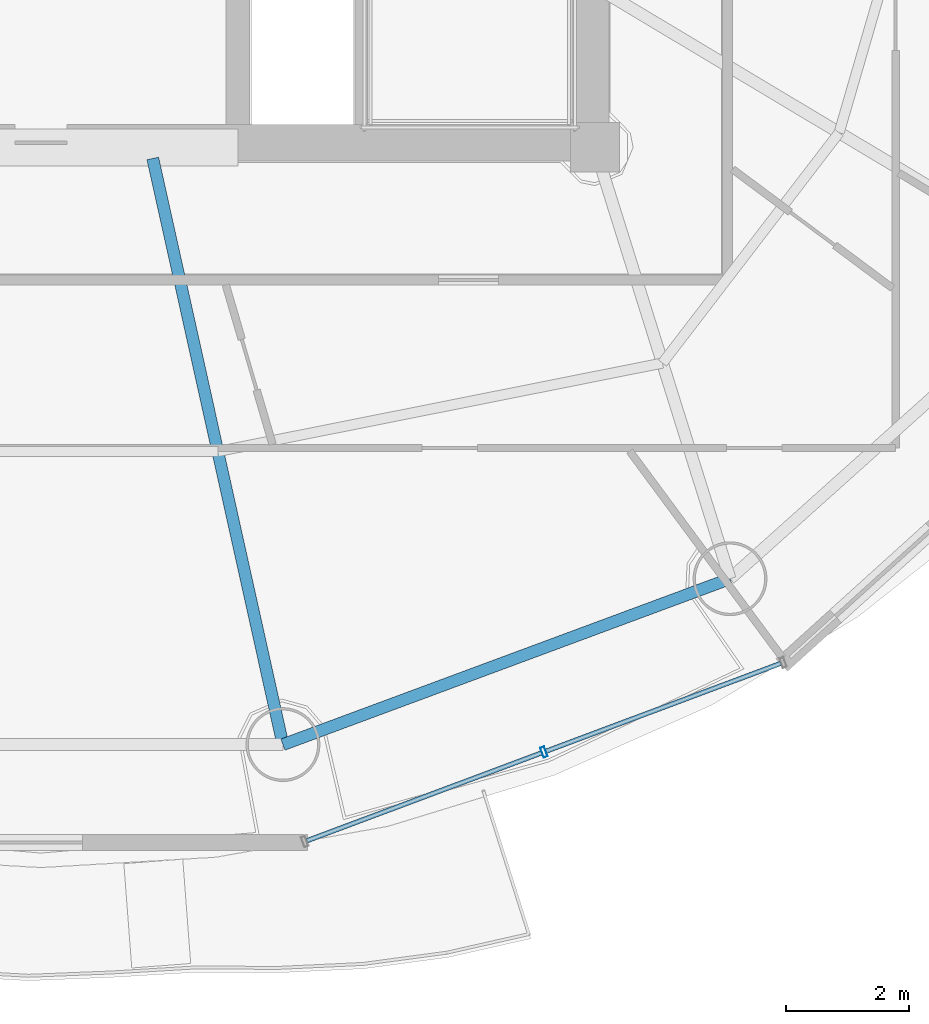
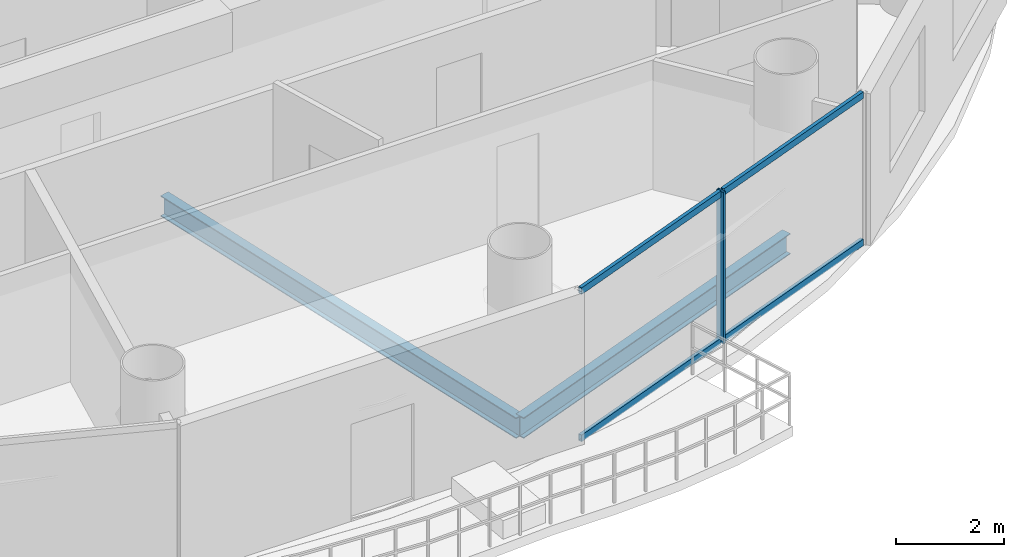
# One storey, part 6 of 26: 5 members, 2 beams, 1 element without a shape of its own.
"""IFC4 building model written with IfcOpenShell, lengths in metres."""

from ifc_helpers import new_model, si_unit, direction, frame, origin, origin_2d, place, context, subcontext, project, spatial, hollow_rectangle, i_section, extrude, source, transform, mapped, material, material_profile, profile_set, type_object, element, aggregate, save


model = new_model("IFC4")

# Units and contexts
model_context = context("Model", 3, precision=1e-05, world=origin(), true_north=direction((-0.2419218956, 0.970295726276)))
body_context = subcontext(model_context, "Body", "Model", "MODEL_VIEW")
ifc_project = project(units=[si_unit("LENGTHUNIT", "METRE"), si_unit("AREAUNIT", "SQUARE_METRE"), si_unit("VOLUMEUNIT", "CUBIC_METRE"), si_unit("PLANEANGLEUNIT", "RADIAN"), si_unit("MASSUNIT", "GRAM", prefix="KILO")], contexts=[model_context])

# Site, building, storey
site_placement = place(None, origin())
site = spatial("IfcSite", under=ifc_project, at=site_placement, CompositionType="ELEMENT")
building_placement = place(site_placement, origin())
building = spatial("IfcBuilding", under=site, at=building_placement, Name="Cobrevalo Terracotta Tower", CompositionType="ELEMENT")
storey_placement = place(building_placement, frame((0.0, 0.0, 231.89990234375)))
storey = spatial("IfcBuildingStorey", under=building, at=storey_placement, Name="L61", CompositionType="ELEMENT", Elevation=231.89990234375)

# Beams
ifc_material_1 = material(Name="Steel S355", Category="steel")
ifc_material_profile_1 = material_profile(ifc_material_1, i_section(OverallWidth=0.194091796875, OverallDepth=0.468994140625, WebThickness=0.011474609375, FlangeThickness=0.0205078125, at=origin_2d()), Name="W 460x106")
ifc_profile_set_1 = profile_set([ifc_material_profile_1], Name="Steel S355")
beam_type_1 = type_object("IfcBeamType", Name="Structural Beam W 460x106 (Steel S355)", PredefinedType="BEAM", material=ifc_profile_set_1)
beam_1_placement = place(storey_placement, frame((41.93115234375, 9.096923828125, -0.49951171875), z_axis=(-0.216782061165, 0.976220025382, 0.0), x_axis=(-0.976220025382, -0.216782061165, 0.0)))
element("IfcBeam", 1, at=beam_1_placement, inside=storey, type_object=beam_type_1, Name="L61 radial floor girder 13", PredefinedType="BEAM", context=body_context, shape_type="SweptSolid", body=[
    extrude(i_section(OverallWidth=0.194091796875, OverallDepth=0.468994140625, WebThickness=0.011474609375, FlangeThickness=0.0205078125, at=origin_2d()), origin(), (0.0, 0.0, 1.0), 9.755126953125),
])
ifc_material_profile_2 = material_profile(ifc_material_1, i_section(OverallWidth=0.194091796875, OverallDepth=0.468994140625, WebThickness=0.011474609375, FlangeThickness=0.0205078125, at=origin_2d()), Name="W 460x106")
ifc_profile_set_2 = profile_set([ifc_material_profile_2], Name="Steel S355")
beam_type_2 = type_object("IfcBeamType", Name="Structural Spandrel W 460x106 (Steel S355)", PredefinedType="SPANDREL", material=ifc_profile_set_2)
beam_2_placement = place(storey_placement, frame((41.93115234375, 9.096923828125, -0.49951171875), z_axis=(0.937545996665, 0.347861328892, 0.0), x_axis=(-0.347861328892, 0.937545996665, 0.0)))
element("IfcBeam", 2, at=beam_2_placement, inside=storey, type_object=beam_type_2, Name="L61 perimeter ring spandrel 13", PredefinedType="SPANDREL", context=body_context, shape_type="SweptSolid", body=[
    extrude(i_section(OverallWidth=0.194091796875, OverallDepth=0.468994140625, WebThickness=0.011474609375, FlangeThickness=0.0205078125, at=origin_2d()), origin(), (0.0, 0.0, 1.0), 7.74755859375),
])

# Curtain wall, members
ifc_material_2 = material(Name="Anodized aluminium", Category="aluminium")
curtain_wall_type = type_object("IfcCurtainWallType", Name="Mid-tower high-wind unitised curtain wall CW-U2", PredefinedType="NOTDEFINED", material=ifc_material_2)
curtain_wall_placement = place(storey_placement, origin())
curtain_wall = element("IfcCurtainWall", 3, at=curtain_wall_placement, inside=storey, type_object=curtain_wall_type, Name="L61 curtain wall CW-L61-S13", PredefinedType="NOTDEFINED")
ifc_material_profile_3 = material_profile(ifc_material_2, hollow_rectangle(XDim=0.074951171875, YDim=0.14990234375, WallThickness=0.00439453125, at=origin_2d()), Name="CWT 75x150")
ifc_profile_set_3 = profile_set([ifc_material_profile_3], Name="Anodized aluminium")
member_type_1 = type_object("IfcMemberType", Name="Tower unitised aluminium transom 75x150", PredefinedType="USERDEFINED", material=ifc_profile_set_3)
shared_shape_1 = source(origin(), body_context, "Body", "SweptSolid", [
    extrude(hollow_rectangle(XDim=0.074951171875, YDim=0.14990234375, WallThickness=0.00439453125, at=origin_2d()), origin(), (0.0, 0.0, 1.0), 4.069580078125),
])
member_1_placement = place(storey_placement, frame((46.20849609375, 8.990478515625, 0.050048828125), z_axis=(0.936548420649, 0.350538237259, 0.0), x_axis=(-0.350538237259, 0.936548420649, 0.0)))
member_1 = element("IfcMember", 4, at=member_1_placement, type_object=member_type_1, Name="CW-L61-S13 transom B02-T1", ObjectType="TRANSOM", PredefinedType="USERDEFINED", context=body_context, shape_type="MappedRepresentation", body=[
    mapped(shared_shape_1, transform((0.0, 0.0, 0.0), scale=1.0)),
])
member_2_placement = place(storey_placement, frame((46.20849609375, 8.990478515625, 3.385009765625), z_axis=(0.936548420649, 0.350538237259, 0.0), x_axis=(-0.350538237259, 0.936548420649, 0.0)))
member_2 = element("IfcMember", 5, at=member_2_placement, type_object=member_type_1, Name="CW-L61-S13 transom B02-T2", ObjectType="TRANSOM", PredefinedType="USERDEFINED", context=body_context, shape_type="MappedRepresentation", body=[
    mapped(shared_shape_1, transform((0.0, 0.0, 0.0), scale=1.0)),
])
shared_shape_2 = source(origin(), body_context, "Body", "SweptSolid", [
    extrude(hollow_rectangle(XDim=0.074951171875, YDim=0.14990234375, WallThickness=0.00439453125, at=origin_2d()), origin(), (0.0, 0.0, 1.0), 4.06982421875),
])
member_3_placement = place(storey_placement, frame((42.322021484375, 7.535888671875, 0.050048828125), z_axis=(0.936555791772, 0.350518542873, 0.0), x_axis=(-0.350518542873, 0.936555791772, 0.0)))
member_3 = element("IfcMember", 6, at=member_3_placement, type_object=member_type_1, Name="CW-L61-S13 transom B01-T1", ObjectType="TRANSOM", PredefinedType="USERDEFINED", context=body_context, shape_type="MappedRepresentation", body=[
    mapped(shared_shape_2, transform((0.0, 0.0, 0.0), scale=1.0)),
])
member_4_placement = place(storey_placement, frame((42.322021484375, 7.535888671875, 3.385009765625), z_axis=(0.936555791772, 0.350518542873, 0.0), x_axis=(-0.350518542873, 0.936555791772, 0.0)))
member_4 = element("IfcMember", 7, at=member_4_placement, type_object=member_type_1, Name="CW-L61-S13 transom B01-T2", ObjectType="TRANSOM", PredefinedType="USERDEFINED", context=body_context, shape_type="MappedRepresentation", body=[
    mapped(shared_shape_2, transform((0.0, 0.0, 0.0), scale=1.0)),
])
ifc_material_profile_4 = material_profile(ifc_material_2, hollow_rectangle(XDim=0.070068359375, YDim=0.169921875, WallThickness=0.00439453125, at=origin_2d()), Name="CWM 70x170")
ifc_profile_set_4 = profile_set([ifc_material_profile_4], Name="Anodized aluminium")
member_type_2 = type_object("IfcMemberType", Name="Upper tower unitised mullion 70x170", PredefinedType="MULLION", material=ifc_profile_set_4)
shared_shape_3 = source(origin(), body_context, "Body", "SweptSolid", [
    extrude(hollow_rectangle(XDim=0.070068359375, YDim=0.169921875, WallThickness=0.00439453125, at=origin_2d()), origin(), (0.0, 0.0, 1.0), 3.43505859375),
])
member_5_placement = place(storey_placement, frame((46.1708984375, 8.9765625, 0.0), z_axis=(0.0, 0.0, 1.0), x_axis=(0.936556004584, 0.350517974259, 0.0)))
member_5 = element("IfcMember", 8, at=member_5_placement, type_object=member_type_2, Name="CW-L61-S13 vertical mullion 02", PredefinedType="MULLION", context=body_context, shape_type="MappedRepresentation", body=[
    mapped(shared_shape_3, transform((0.0, 0.0, 0.0), scale=1.0)),
])
aggregate(curtain_wall, [member_5, member_3, member_4, member_1, member_2])

save(model, "model.ifc")
